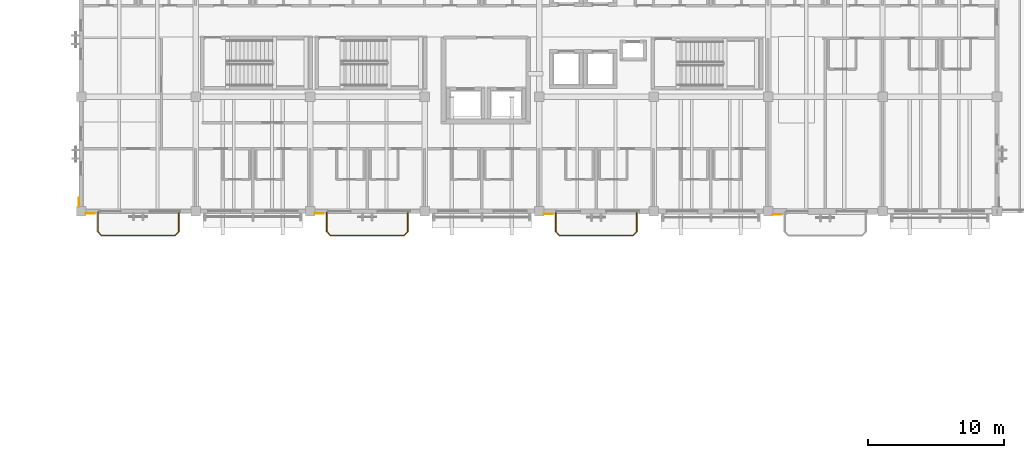
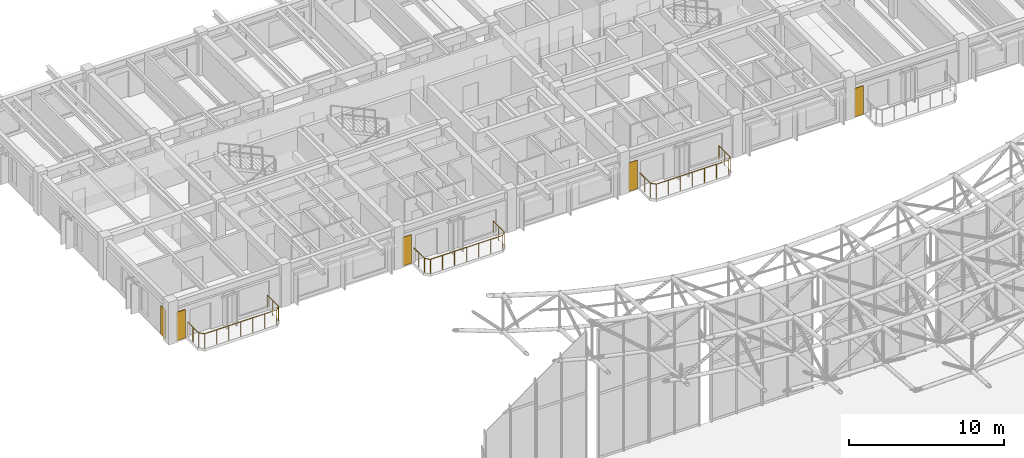
# One storey, part 87 of 93: 5 coverings, 3 railings.
"""IFC4 building model written with IfcOpenShell, lengths in metres."""

import ifcopenshell
import ifcopenshell.guid

model = None  # the IFC model being written
_history = None  # IfcOwnerHistory: only IFC2X3 demands one
_inside = {}  # id of a spatial element -> (the spatial element, [elements in it])
_under = {}  # id of a project, library or spatial element -> (it, [spatial elements below it])
_declared = {}  # id of a project -> (the project, [libraries it declares])
_typed = {}  # id of a type object -> (the type object, [elements of that type])
_made_of = {}  # id of a material, layer set ... -> (it, [elements and type objects made of it])


def new_model(schema):
    """Start an empty IFC model of exactly this schema.

    Asked for "IFC4X3", IfcOpenShell would pick the latest addendum, in which some entities
    have other attributes; the version numbers below select the first issue.
    IFC2X3 requires an IfcOwnerHistory on every rooted entity: one is made here for all.
    """
    global model, _history
    if schema == "IFC4X3":
        model = ifcopenshell.file(schema_version=(4, 3, 0, 0))
    else:
        model = ifcopenshell.file(schema=schema)
    _inside.clear()
    _under.clear()
    _declared.clear()
    _typed.clear()
    _made_of.clear()
    _history = None
    if model.schema == "IFC2X3":
        org = make("IfcOrganization", Name="unknown")
        user = make(
            "IfcPersonAndOrganization",
            ThePerson=make("IfcPerson", FamilyName="unknown"),
            TheOrganization=org,
        )
        app = make(
            "IfcApplication",
            ApplicationDeveloper=org,
            Version="unknown",
            ApplicationFullName="unknown",
            ApplicationIdentifier="unknown",
        )
        _history = make(
            "IfcOwnerHistory",
            OwningUser=user,
            OwningApplication=app,
            ChangeAction="ADDED",
            CreationDate=0,
        )
    return model


def make(cls, **values):
    """One entity of the class cls with the attributes given. An attribute that is None is left unset."""
    return model.create_entity(
        cls, **{name: value for name, value in values.items() if value is not None}
    )


def rooted(cls, **values):
    """An entity with a GlobalId (a new one), such as an element, a storey or a relation."""
    return make(cls, GlobalId=ifcopenshell.guid.new(), OwnerHistory=_history, **values)


def si_unit(unit_type, name, prefix=None):
    """IfcSIUnit, for example si_unit("LENGTHUNIT", "METRE", prefix="MILLI")."""
    return make("IfcSIUnit", UnitType=unit_type, Prefix=prefix, Name=name)


def assignment(units):
    """IfcUnitAssignment: the units of a project."""
    return None if units is None else make("IfcUnitAssignment", Units=units)


def point(xyz):
    """IfcCartesianPoint."""
    return None if xyz is None else make("IfcCartesianPoint", Coordinates=xyz)


def direction(xyz):
    """IfcDirection."""
    return None if xyz is None else make("IfcDirection", DirectionRatios=xyz)


def frame(location, z_axis=None, x_axis=None):
    """IfcAxis2Placement3D, a coordinate frame: its origin and axes. An axis left out is left unset."""
    return make(
        "IfcAxis2Placement3D",
        Location=point(location),
        Axis=direction(z_axis),
        RefDirection=direction(x_axis),
    )


def frame_2d(location, x_axis=None):
    """IfcAxis2Placement2D, a coordinate frame in the plane: its origin and x axis."""
    return make(
        "IfcAxis2Placement2D", Location=point(location), RefDirection=direction(x_axis)
    )


def origin():
    """The frame at (0, 0, 0) with its axes left unset."""
    return frame((0.0, 0.0, 0.0))


def origin_2d():
    """The frame at (0, 0) in the plane with its x axis left unset."""
    return frame_2d((0.0, 0.0))


def place(relative_to, where):
    """IfcLocalPlacement: puts the frame where relative to a parent placement (None: the world)."""
    return make(
        "IfcLocalPlacement", PlacementRelTo=relative_to, RelativePlacement=where
    )


def context(
    kind, dimensions, precision=None, world=None, true_north=None, identifier=None
):
    """IfcGeometricRepresentationContext, for example the 3D "Model" context."""
    return make(
        "IfcGeometricRepresentationContext",
        ContextIdentifier=identifier,
        ContextType=kind,
        CoordinateSpaceDimension=dimensions,
        Precision=precision,
        WorldCoordinateSystem=world,
        TrueNorth=true_north,
    )


def subcontext(parent, identifier, kind, view, scale=None):
    """IfcGeometricRepresentationSubContext, for example "Body" below "Model"."""
    return make(
        "IfcGeometricRepresentationSubContext",
        ContextIdentifier=identifier,
        ContextType=kind,
        ParentContext=parent,
        TargetScale=scale,
        TargetView=view,
    )


def project(units=None, contexts=None):
    """IfcProject with its units and contexts."""
    return rooted(
        "IfcProject",
        Name="project",
        RepresentationContexts=contexts,
        UnitsInContext=assignment(units),
    )


def spatial(cls, under=None, at=None, **own):
    """A site, building, storey or space (cls), placed at a placement, below another one or the project."""
    s = rooted(cls, ObjectPlacement=at, **own)
    if under is not None:
        _under.setdefault(under.id(), (under, []))[1].append(s)
    return s


def polyline(points):
    """IfcPolyline through the points."""
    return make("IfcPolyline", Points=[point(p) for p in points])


def profile(cls, at=None, kind="AREA", **sizes):
    """A parametric profile (cls). Its sizes go by their IFC names, for example OverallWidth=200.0."""
    return make(cls, ProfileType=kind, Position=at, **sizes)


def circle(**sizes):
    """IfcCircleProfileDef."""
    return profile("IfcCircleProfileDef", **sizes)


def outline(outer, holes=None, kind="AREA"):
    """IfcArbitraryClosedProfileDef: a profile drawn as a closed curve; with holes, ...WithVoids."""
    if holes is None:
        return make("IfcArbitraryClosedProfileDef", ProfileType=kind, OuterCurve=outer)
    return make(
        "IfcArbitraryProfileDefWithVoids",
        ProfileType=kind,
        OuterCurve=outer,
        InnerCurves=holes,
    )


def extrude(swept, where, along, depth):
    """IfcExtrudedAreaSolid: the profile swept, set in the frame where, extruded along a direction by depth."""
    return make(
        "IfcExtrudedAreaSolid",
        SweptArea=swept,
        Position=where,
        ExtrudedDirection=direction(along),
        Depth=depth,
    )


def shape(context_of_items, identifier, shape_type, items):
    """IfcShapeRepresentation: the items that make up one representation, for example the "Body"."""
    return make(
        "IfcShapeRepresentation",
        ContextOfItems=context_of_items,
        RepresentationIdentifier=identifier,
        RepresentationType=shape_type,
        Items=items,
    )


def material(Name=None, Category=None):
    """IfcMaterial."""
    return make("IfcMaterial", Name=Name, Category=Category)


def layer(
    of_material, thickness, ventilated=None, Name=None, Category=None, Priority=None
):
    """IfcMaterialLayer: one layer of a wall or slab, of a material (None: an air gap)."""
    return make(
        "IfcMaterialLayer",
        Material=of_material,
        LayerThickness=thickness,
        IsVentilated=ventilated,
        Name=Name,
        Category=Category,
        Priority=Priority,
    )


def layer_set(layers, Name=None):
    """IfcMaterialLayerSet."""
    return make("IfcMaterialLayerSet", MaterialLayers=layers, LayerSetName=Name)


def made_of(thing, what):
    """Note that an element or type object is made of a material, layer set ...; save() writes the relation."""
    if what is not None:
        _made_of.setdefault(what.id(), (what, []))[1].append(thing)
    return thing


def type_object(cls, material=None, **own):
    """A type object (cls), such as IfcWallType, which elements share."""
    return made_of(rooted(cls, **own), material)


def element(
    cls,
    number,
    at=None,
    inside=None,
    cuts=None,
    type_object=None,
    material=None,
    context=None,
    identifier="Body",
    shape_type=None,
    held_by="IfcProductDefinitionShape",
    body=None,
    shapes=None,
    **own,
):
    """One element of the class cls, such as IfcWall. Its Tag is "e" and its number.

    at: its placement. inside: the storey or other place that contains it. cuts: it is an
    opening in that element (IfcRelVoidsElement). A single representation is given by context,
    identifier, shape_type and body (its items); several are given by shapes. held_by: the class
    of the entity that holds the representations. save() writes the other relations.
    """
    e = rooted(cls, Tag="e%d" % number, ObjectPlacement=at, **own)
    if body is not None:
        shapes = [shape(context, identifier, shape_type, body)]
    if shapes is not None:
        e.Representation = make(held_by, Representations=shapes)
    if inside is not None:
        _inside.setdefault(inside.id(), (inside, []))[1].append(e)
    if cuts is not None:
        rooted(
            "IfcRelVoidsElement", RelatingBuildingElement=cuts, RelatedOpeningElement=e
        )
    if type_object is not None:
        _typed.setdefault(type_object.id(), (type_object, []))[1].append(e)
    return made_of(e, material)


def aggregate(whole, parts):
    """IfcRelAggregates: a whole, such as a stair, and the parts it consists of."""
    return rooted("IfcRelAggregates", RelatingObject=whole, RelatedObjects=parts)


def save(model, path):
    """Write the relations noted so far, then the file.

    IfcRelAggregates (storeys below a building ...), IfcRelContainedInSpatialStructure (elements
    in a storey), IfcRelDefinesByType, IfcRelAssociatesMaterial and IfcRelDeclares: one each for
    every whole, place, type object, material and project.
    """
    for whole, parts in _under.values():
        aggregate(whole, parts)
    for where, things in _inside.values():
        rooted(
            "IfcRelContainedInSpatialStructure",
            RelatedElements=things,
            RelatingStructure=where,
        )
    for kind, things in _typed.values():
        rooted("IfcRelDefinesByType", RelatedObjects=things, RelatingType=kind)
    for what, things in _made_of.values():
        rooted("IfcRelAssociatesMaterial", RelatedObjects=things, RelatingMaterial=what)
    for by, libraries in _declared.values():
        rooted("IfcRelDeclares", RelatingContext=by, RelatedDefinitions=libraries)
    model.write(path)


model = new_model("IFC4")

# Units and contexts
model_context = context("Model", 3, precision=1e-05, world=origin(), true_north=direction((0.0, 1.0)))
body_context = subcontext(model_context, "Body", "Model", "MODEL_VIEW")
ifc_project = project(units=[si_unit("LENGTHUNIT", "METRE"), si_unit("AREAUNIT", "SQUARE_METRE"), si_unit("VOLUMEUNIT", "CUBIC_METRE"), si_unit("PLANEANGLEUNIT", "RADIAN"), si_unit("MASSUNIT", "GRAM", prefix="KILO")], contexts=[model_context])

# Site, building, storey
site_placement = place(None, origin())
site = spatial("IfcSite", under=ifc_project, at=site_placement, CompositionType="ELEMENT")
building_placement = place(site_placement, origin())
building = spatial("IfcBuilding", under=site, at=building_placement, Name="Cumbredor Promenade Congress Hotel", CompositionType="ELEMENT")
storey_placement = place(building_placement, frame((0.0, 0.0, 21.840087890625)))
storey = spatial("IfcBuildingStorey", under=building, at=storey_placement, Name="L06", CompositionType="ELEMENT", Elevation=21.840087890625)

# Coverings
ifc_material_1 = material(Name="Precast concrete C40/50", Category="concrete")
ifc_layer_1 = layer(ifc_material_1, 0.044921875, Name="Precast concrete C40/50", Category="concrete")
ifc_layer_set_1 = layer_set([ifc_layer_1], Name="Precast concrete C40/50")
covering_type_1 = type_object("IfcCoveringType", Name="Board-Formed Architectural Cladding Panel 45mm", PredefinedType="CLADDING", material=ifc_layer_set_1)
covering_1_placement = place(storey_placement, origin())
element("IfcCovering", 1, at=covering_1_placement, inside=storey, type_object=covering_type_1, Name="L06 Facade Stone Cladding Pier 210", PredefinedType="CLADDING", context=body_context, shape_type="SweptSolid", body=[
    extrude(outline(polyline([(0.35107421875, 92.27001953125), (1.0009765625, 92.27001953125), (1.0009765625, 92.22509765625), (0.35107421875, 92.22509765625), (0.35107421875, 92.27001953125)])), origin(), (0.0, 0.0, 1.0), 2.25),
])
covering_2_placement = place(storey_placement, origin())
element("IfcCovering", 2, at=covering_2_placement, inside=storey, type_object=covering_type_1, Name="L06 Facade Stone Cladding Pier 212", PredefinedType="CLADDING", context=body_context, shape_type="SweptSolid", body=[
    extrude(outline(polyline([(33.950927734375, 92.22509765625), (34.60107421875, 92.22509765625), (34.60107421875, 92.179931640625), (33.950927734375, 92.179931640625), (33.950927734375, 92.22509765625)])), origin(), (0.0, 0.0, 1.0), 2.25),
])

# Railings
ifc_material_2 = material(Name="Brushed stainless steel", Category="steel")
railing_type_1 = type_object("IfcRailingType", Name="Sky Garden Glass-and-Steel Balustrade BAL-1150", PredefinedType="BALUSTRADE", material=ifc_material_2)
railing_1_placement = place(storey_placement, frame((1.22998046875, 92.35009765625, 0.0)))
element("IfcRailing", 3, at=railing_1_placement, inside=storey, type_object=railing_type_1, Name="L06 Veranda Balcony Balustrade 038", PredefinedType="BALUSTRADE", context=body_context, shape_type="SweptSolid", body=[
    extrude(circle(Radius=0.02392578125, at=origin_2d()), frame((0.0, 0.0, 1.1259765625), z_axis=(0.0, -1.0, 0.0), x_axis=(1.0, 0.0, 0.0)), (0.0, 0.0, 1.0), 1.440185546875),
    extrude(circle(Radius=0.02392578125, at=origin_2d()), frame((0.0, -1.440185546875, 1.1259765625), z_axis=(0.707106781187, -0.707106781187, 0.0), x_axis=(0.707106781187, 0.707106781187, 0.0)), (0.0, 0.0, 1.0), 0.39599609375),
    extrude(circle(Radius=0.02392578125, at=origin_2d()), frame((0.280029296875, -1.72021484375, 1.1259765625), z_axis=(1.0, 0.0, 0.0), x_axis=(0.0, 1.0, 0.0)), (0.0, 0.0, 1.0), 5.3798828125),
    extrude(circle(Radius=0.02392578125, at=origin_2d()), frame((5.659912109375, -1.72021484375, 1.1259765625), z_axis=(0.707106781187, 0.707106781187, 0.0), x_axis=(-0.707106781187, 0.707106781187, 0.0)), (0.0, 0.0, 1.0), 0.39599609375),
    extrude(circle(Radius=0.02392578125, at=origin_2d()), frame((5.93994140625, -1.440185546875, 1.1259765625), z_axis=(0.0, 1.0, 0.0), x_axis=(-1.0, 0.0, 0.0)), (0.0, 0.0, 1.0), 1.440185546875),
    extrude(circle(Radius=0.02099609375, at=origin_2d()), origin(), (0.0, 0.0, 1.0), 1.101806640625),
    extrude(circle(Radius=0.02099609375, at=origin_2d()), frame((0.0, -0.72021484375, 0.0)), (0.0, 0.0, 1.0), 1.101806640625),
    extrude(circle(Radius=0.02099609375, at=origin_2d()), frame((0.0, -1.440185546875, 0.0)), (0.0, 0.0, 1.0), 1.101806640625),
    extrude(circle(Radius=0.02099609375, at=origin_2d()), frame((0.280029296875, -1.72021484375, 0.0)), (0.0, 0.0, 1.0), 1.101806640625),
    extrude(circle(Radius=0.02099609375, at=origin_2d()), frame((1.1767578125, -1.72021484375, 0.0)), (0.0, 0.0, 1.0), 1.101806640625),
    extrude(circle(Radius=0.02099609375, at=origin_2d()), frame((2.0732421875, -1.72021484375, 0.0)), (0.0, 0.0, 1.0), 1.101806640625),
    extrude(circle(Radius=0.02099609375, at=origin_2d()), frame((2.969970703125, -1.72021484375, 0.0)), (0.0, 0.0, 1.0), 1.101806640625),
    extrude(circle(Radius=0.02099609375, at=origin_2d()), frame((3.86669921875, -1.72021484375, 0.0)), (0.0, 0.0, 1.0), 1.101806640625),
    extrude(circle(Radius=0.02099609375, at=origin_2d()), frame((4.76318359375, -1.72021484375, 0.0)), (0.0, 0.0, 1.0), 1.101806640625),
    extrude(circle(Radius=0.02099609375, at=origin_2d()), frame((5.659912109375, -1.72021484375, 0.0)), (0.0, 0.0, 1.0), 1.101806640625),
    extrude(circle(Radius=0.02099609375, at=origin_2d()), frame((5.93994140625, -1.440185546875, 0.0)), (0.0, 0.0, 1.0), 1.101806640625),
    extrude(circle(Radius=0.02099609375, at=origin_2d()), frame((5.93994140625, -0.72021484375, 0.0)), (0.0, 0.0, 1.0), 1.101806640625),
    extrude(circle(Radius=0.02099609375, at=origin_2d()), frame((5.93994140625, 0.0, 0.0)), (0.0, 0.0, 1.0), 1.101806640625),
])
railing_2_placement = place(storey_placement, frame((34.830078125, 92.35009765625, 0.0)))
element("IfcRailing", 4, at=railing_2_placement, inside=storey, type_object=railing_type_1, Name="L06 Veranda Balcony Balustrade 040", PredefinedType="BALUSTRADE", context=body_context, shape_type="SweptSolid", body=[
    extrude(circle(Radius=0.02392578125, at=origin_2d()), frame((0.0, 0.0, 1.1259765625), z_axis=(0.0, -1.0, 0.0), x_axis=(1.0, 0.0, 0.0)), (0.0, 0.0, 1.0), 1.440185546875),
    extrude(circle(Radius=0.02392578125, at=origin_2d()), frame((0.0, -1.440185546875, 1.1259765625), z_axis=(0.707106781187, -0.707106781187, 0.0), x_axis=(0.707106781187, 0.707106781187, 0.0)), (0.0, 0.0, 1.0), 0.39599609375),
    extrude(circle(Radius=0.02392578125, at=origin_2d()), frame((0.280029296875, -1.72021484375, 1.1259765625), z_axis=(1.0, 0.0, 0.0), x_axis=(0.0, 1.0, 0.0)), (0.0, 0.0, 1.0), 5.3798828125),
    extrude(circle(Radius=0.02392578125, at=origin_2d()), frame((5.659912109375, -1.72021484375, 1.1259765625), z_axis=(0.707106781187, 0.707106781187, 0.0), x_axis=(-0.707106781187, 0.707106781187, 0.0)), (0.0, 0.0, 1.0), 0.39599609375),
    extrude(circle(Radius=0.02392578125, at=origin_2d()), frame((5.93994140625, -1.440185546875, 1.1259765625), z_axis=(0.0, 1.0, 0.0), x_axis=(-1.0, 0.0, 0.0)), (0.0, 0.0, 1.0), 1.440185546875),
    extrude(circle(Radius=0.02099609375, at=origin_2d()), origin(), (0.0, 0.0, 1.0), 1.101806640625),
    extrude(circle(Radius=0.02099609375, at=origin_2d()), frame((0.0, -0.72021484375, 0.0)), (0.0, 0.0, 1.0), 1.101806640625),
    extrude(circle(Radius=0.02099609375, at=origin_2d()), frame((0.0, -1.440185546875, 0.0)), (0.0, 0.0, 1.0), 1.101806640625),
    extrude(circle(Radius=0.02099609375, at=origin_2d()), frame((0.280029296875, -1.72021484375, 0.0)), (0.0, 0.0, 1.0), 1.101806640625),
    extrude(circle(Radius=0.02099609375, at=origin_2d()), frame((1.1767578125, -1.72021484375, 0.0)), (0.0, 0.0, 1.0), 1.101806640625),
    extrude(circle(Radius=0.02099609375, at=origin_2d()), frame((2.0732421875, -1.72021484375, 0.0)), (0.0, 0.0, 1.0), 1.101806640625),
    extrude(circle(Radius=0.02099609375, at=origin_2d()), frame((2.969970703125, -1.72021484375, 0.0)), (0.0, 0.0, 1.0), 1.101806640625),
    extrude(circle(Radius=0.02099609375, at=origin_2d()), frame((3.86669921875, -1.72021484375, 0.0)), (0.0, 0.0, 1.0), 1.101806640625),
    extrude(circle(Radius=0.02099609375, at=origin_2d()), frame((4.76318359375, -1.72021484375, 0.0)), (0.0, 0.0, 1.0), 1.101806640625),
    extrude(circle(Radius=0.02099609375, at=origin_2d()), frame((5.659912109375, -1.72021484375, 0.0)), (0.0, 0.0, 1.0), 1.101806640625),
    extrude(circle(Radius=0.02099609375, at=origin_2d()), frame((5.93994140625, -1.440185546875, 0.0)), (0.0, 0.0, 1.0), 1.101806640625),
    extrude(circle(Radius=0.02099609375, at=origin_2d()), frame((5.93994140625, -0.72021484375, 0.0)), (0.0, 0.0, 1.0), 1.101806640625),
    extrude(circle(Radius=0.02099609375, at=origin_2d()), frame((5.93994140625, 0.0, 0.0)), (0.0, 0.0, 1.0), 1.101806640625),
])
railing_type_2 = type_object("IfcRailingType", Name="Terrace Perimeter Balustrade BAL-1120", PredefinedType="BALUSTRADE", material=ifc_material_2)
railing_3_placement = place(storey_placement, frame((18.030029296875, 92.35009765625, 0.0)))
element("IfcRailing", 5, at=railing_3_placement, inside=storey, type_object=railing_type_2, Name="L06 Veranda Balcony Balustrade 039", PredefinedType="BALUSTRADE", context=body_context, shape_type="SweptSolid", body=[
    extrude(circle(Radius=0.02392578125, at=origin_2d()), frame((0.0, 0.0, 1.09619140625), z_axis=(0.0, -1.0, 0.0), x_axis=(1.0, 0.0, 0.0)), (0.0, 0.0, 1.0), 1.440185546875),
    extrude(circle(Radius=0.02392578125, at=origin_2d()), frame((0.0, -1.440185546875, 1.09619140625), z_axis=(0.707106781187, -0.707106781187, 0.0), x_axis=(0.707106781187, 0.707106781187, 0.0)), (0.0, 0.0, 1.0), 0.39599609375),
    extrude(circle(Radius=0.02392578125, at=origin_2d()), frame((0.280029296875, -1.72021484375, 1.09619140625), z_axis=(1.0, 0.0, 0.0), x_axis=(0.0, 1.0, 0.0)), (0.0, 0.0, 1.0), 5.3798828125),
    extrude(circle(Radius=0.02392578125, at=origin_2d()), frame((5.659912109375, -1.72021484375, 1.09619140625), z_axis=(0.707106781187, 0.707106781187, 0.0), x_axis=(-0.707106781187, 0.707106781187, 0.0)), (0.0, 0.0, 1.0), 0.39599609375),
    extrude(circle(Radius=0.02392578125, at=origin_2d()), frame((5.93994140625, -1.440185546875, 1.09619140625), z_axis=(0.0, 1.0, 0.0), x_axis=(-1.0, 0.0, 0.0)), (0.0, 0.0, 1.0), 1.440185546875),
    extrude(circle(Radius=0.02099609375, at=origin_2d()), origin(), (0.0, 0.0, 1.0), 1.072021484375),
    extrude(circle(Radius=0.02099609375, at=origin_2d()), frame((0.0, -0.72021484375, 0.0)), (0.0, 0.0, 1.0), 1.072021484375),
    extrude(circle(Radius=0.02099609375, at=origin_2d()), frame((0.0, -1.440185546875, 0.0)), (0.0, 0.0, 1.0), 1.072021484375),
    extrude(circle(Radius=0.02099609375, at=origin_2d()), frame((0.280029296875, -1.72021484375, 0.0)), (0.0, 0.0, 1.0), 1.072021484375),
    extrude(circle(Radius=0.02099609375, at=origin_2d()), frame((1.1767578125, -1.72021484375, 0.0)), (0.0, 0.0, 1.0), 1.072021484375),
    extrude(circle(Radius=0.02099609375, at=origin_2d()), frame((2.0732421875, -1.72021484375, 0.0)), (0.0, 0.0, 1.0), 1.072021484375),
    extrude(circle(Radius=0.02099609375, at=origin_2d()), frame((2.969970703125, -1.72021484375, 0.0)), (0.0, 0.0, 1.0), 1.072021484375),
    extrude(circle(Radius=0.02099609375, at=origin_2d()), frame((3.86669921875, -1.72021484375, 0.0)), (0.0, 0.0, 1.0), 1.072021484375),
    extrude(circle(Radius=0.02099609375, at=origin_2d()), frame((4.76318359375, -1.72021484375, 0.0)), (0.0, 0.0, 1.0), 1.072021484375),
    extrude(circle(Radius=0.02099609375, at=origin_2d()), frame((5.659912109375, -1.72021484375, 0.0)), (0.0, 0.0, 1.0), 1.072021484375),
    extrude(circle(Radius=0.02099609375, at=origin_2d()), frame((5.93994140625, -1.440185546875, 0.0)), (0.0, 0.0, 1.0), 1.072021484375),
    extrude(circle(Radius=0.02099609375, at=origin_2d()), frame((5.93994140625, -0.72021484375, 0.0)), (0.0, 0.0, 1.0), 1.072021484375),
    extrude(circle(Radius=0.02099609375, at=origin_2d()), frame((5.93994140625, 0.0, 0.0)), (0.0, 0.0, 1.0), 1.072021484375),
])

# Coverings
ifc_material_3 = material(Name="Volcanic andesite ashlar cladding", Category="masonry")
ifc_layer_2 = layer(ifc_material_3, 0.034912109375, Name="Volcanic andesite ashlar cladding", Category="masonry")
ifc_layer_set_2 = layer_set([ifc_layer_2], Name="Volcanic andesite ashlar cladding")
covering_type_2 = type_object("IfcCoveringType", Name="Volcanic Andesite Ashlar Rainscreen Cladding 35mm", PredefinedType="CLADDING", material=ifc_layer_set_2)
covering_3_placement = place(storey_placement, origin())
element("IfcCovering", 6, at=covering_3_placement, inside=storey, type_object=covering_type_2, Name="L06 Facade Stone Cladding Pier 211", PredefinedType="CLADDING", context=body_context, shape_type="SweptSolid", body=[
    extrude(outline(polyline([(17.15087890625, 92.25), (17.801025390625, 92.25), (17.801025390625, 92.215087890625), (17.15087890625, 92.215087890625), (17.15087890625, 92.25)])), origin(), (0.0, 0.0, 1.0), 2.25),
])
covering_4_placement = place(storey_placement, origin())
element("IfcCovering", 7, at=covering_4_placement, inside=storey, type_object=covering_type_2, Name="L06 Facade Stone Cladding Pier 213", PredefinedType="CLADDING", context=body_context, shape_type="SweptSolid", body=[
    extrude(outline(polyline([(50.7509765625, 92.1875), (51.40087890625, 92.1875), (51.40087890625, 92.152587890625), (50.7509765625, 92.152587890625), (50.7509765625, 92.1875)])), origin(), (0.0, 0.0, 1.0), 2.25),
])
covering_5_placement = place(storey_placement, origin())
element("IfcCovering", 8, at=covering_5_placement, inside=storey, type_object=covering_type_2, Name="L06 Facade Stone Cladding Pier 217", PredefinedType="CLADDING", context=body_context, shape_type="SweptSolid", body=[
    extrude(outline(polyline([(-0.1298828125, 92.7509765625), (-0.1298828125, 93.40087890625), (-0.1650390625, 93.40087890625), (-0.1650390625, 92.7509765625), (-0.1298828125, 92.7509765625)])), origin(), (0.0, 0.0, 1.0), 2.25),
])

save(model, "model.ifc")
